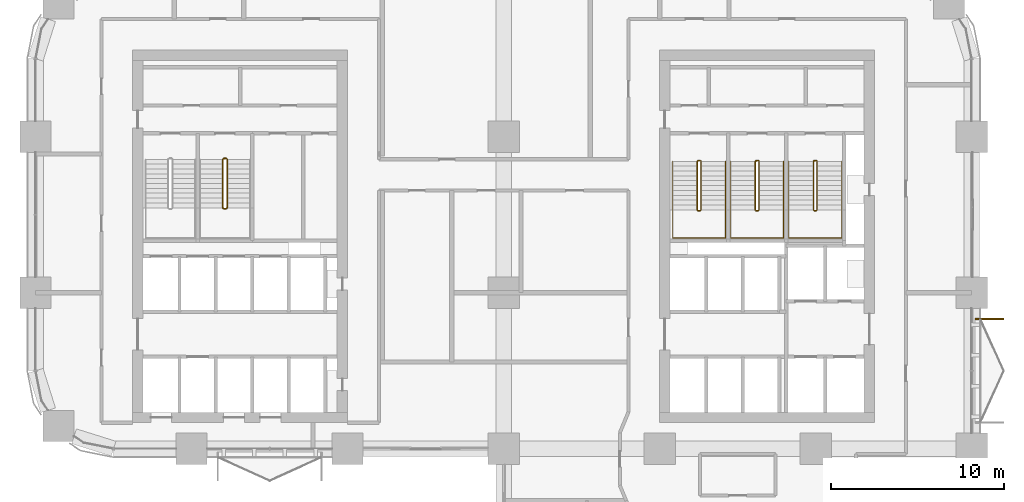
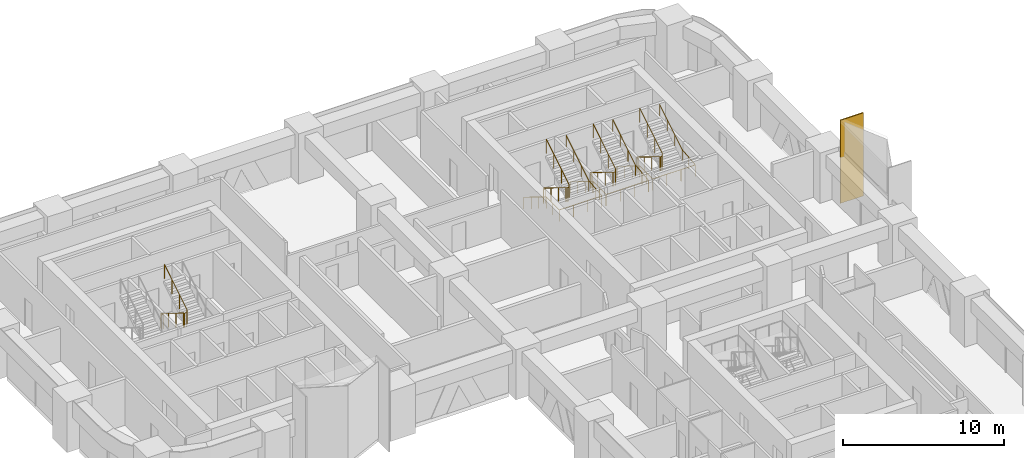
# One storey, part 24 of 24: 7 railings, 1 covering.
"""IFC4 building model written with IfcOpenShell, lengths in metres."""

from ifc_helpers import new_model, si_unit, direction, frame, origin, origin_2d, place, context, subcontext, project, spatial, polyline, circle, outline, extrude, material, layer, layer_set, type_object, element, save


model = new_model("IFC4")

# Units and contexts
model_context = context("Model", 3, precision=1e-05, world=origin(), true_north=direction((0.0, 1.0)))
body_context = subcontext(model_context, "Body", "Model", "MODEL_VIEW")
ifc_project = project(units=[si_unit("LENGTHUNIT", "METRE"), si_unit("AREAUNIT", "SQUARE_METRE"), si_unit("VOLUMEUNIT", "CUBIC_METRE"), si_unit("PLANEANGLEUNIT", "RADIAN"), si_unit("MASSUNIT", "GRAM", prefix="KILO")], contexts=[model_context])

# Site, building, storey
site_placement = place(None, origin())
site = spatial("IfcSite", under=ifc_project, at=site_placement, CompositionType="ELEMENT")
building_placement = place(site_placement, origin())
building = spatial("IfcBuilding", under=site, at=building_placement, Name="Tessera Arch", CompositionType="ELEMENT")
storey_placement = place(building_placement, frame((0.0, 0.0, 81.60009765625)))
storey = spatial("IfcBuildingStorey", under=building, at=storey_placement, Name="L18", CompositionType="ELEMENT", Elevation=81.60009765625)

# Railings
ifc_material_1 = material(Name="Painted steel balustrade", Category="steel")
railing_type_1 = type_object("IfcRailingType", Name="Stair guard 1100", PredefinedType="GUARDRAIL", material=ifc_material_1)
railing_1_placement = place(storey_placement, frame((38.219970703125, 43.6298828125, 0.0)))
element("IfcRailing", 1, at=railing_1_placement, inside=storey, type_object=railing_type_1, Name="L18 S1a stair guard 1", PredefinedType="GUARDRAIL", context=body_context, shape_type="SweptSolid", body=[
    extrude(circle(Radius=0.02392578125, at=origin_2d()), frame((-0.00390625, 0.0, 1.076171875), z_axis=(1.0, 0.0, 0.0), x_axis=(0.0, 1.0, 0.0)), (0.0, 0.0, 1.0), 0.1181640625),
    extrude(circle(Radius=0.02392578125, at=origin_2d()), frame((0.11279296875, 0.000732421875, 1.0732421875), z_axis=(-0.665449600336, -0.206938595226, 0.717184249143), x_axis=(0.296948579431, -0.954893471113, 0.0)), (0.0, 0.0, 1.0), 0.248779296875),
    extrude(circle(Radius=0.02392578125, at=origin_2d()), frame((-0.050048828125, -0.04638671875, 1.24658203125), z_axis=(0.0, -0.851089632645, 0.525020415988), x_axis=(1.0, 0.0, 0.0)), (0.0, 0.0, 1.0), 3.2978515625),
    extrude(circle(Radius=0.02392578125, at=origin_2d()), frame((-0.052978515625, -2.846923828125, 2.97607421875), z_axis=(0.707106781187, -0.707106781187, 0.0), x_axis=(0.707106781187, 0.707106781187, 0.0)), (0.0, 0.0, 1.0), 0.078857421875),
    extrude(circle(Radius=0.02392578125, at=origin_2d()), frame((-0.00390625, -2.89990234375, 2.97607421875), z_axis=(1.0, 0.0, 0.0), x_axis=(0.0, 1.0, 0.0)), (0.0, 0.0, 1.0), 0.1181640625),
    extrude(circle(Radius=0.02392578125, at=origin_2d()), frame((0.109130859375, -2.90087890625, 2.97216796875), z_axis=(0.267062837333, 0.268371968888, 0.925556009775), x_axis=(-0.708833529934, 0.705375805398, 0.0)), (0.0, 0.0, 1.0), 0.194580078125),
    extrude(circle(Radius=0.02392578125, at=origin_2d()), frame((0.159912109375, -2.853271484375, 3.146484375), z_axis=(0.0, 0.851089632645, 0.525020415988), x_axis=(-1.0, 0.0, 0.0)), (0.0, 0.0, 1.0), 3.2978515625),
    extrude(circle(Radius=0.02099609375, at=origin_2d()), origin(), (0.0, 0.0, 1.0), 1.06396484375),
    extrude(circle(Radius=0.02099609375, at=origin_2d()), frame((0.110107421875, 0.0, 0.0)), (0.0, 0.0, 1.0), 1.06396484375),
    extrude(circle(Radius=0.02099609375, at=origin_2d()), frame((-0.050048828125, -0.0498046875, 0.172607421875)), (0.0, 0.0, 1.0), 1.06396484375),
    extrude(circle(Radius=0.02099609375, at=origin_2d()), frame((-0.050048828125, -0.983154296875, 0.748291015625)), (0.0, 0.0, 1.0), 1.06396484375),
    extrude(circle(Radius=0.02099609375, at=origin_2d()), frame((-0.050048828125, -1.91650390625, 1.32421875)), (0.0, 0.0, 1.0), 1.06396484375),
    extrude(circle(Radius=0.02099609375, at=origin_2d()), frame((-0.050048828125, -2.849853515625, 1.89990234375)), (0.0, 0.0, 1.0), 1.06396484375),
    extrude(circle(Radius=0.02099609375, at=origin_2d()), frame((0.0, -2.89990234375, 1.89990234375)), (0.0, 0.0, 1.0), 1.06396484375),
    extrude(circle(Radius=0.02099609375, at=origin_2d()), frame((0.110107421875, -2.89990234375, 1.89990234375)), (0.0, 0.0, 1.0), 1.06396484375),
    extrude(circle(Radius=0.02099609375, at=origin_2d()), frame((0.159912109375, -2.849853515625, 2.072509765625)), (0.0, 0.0, 1.0), 1.06396484375),
    extrude(circle(Radius=0.02099609375, at=origin_2d()), frame((0.159912109375, -1.91650390625, 2.648193359375)), (0.0, 0.0, 1.0), 1.06396484375),
    extrude(circle(Radius=0.02099609375, at=origin_2d()), frame((0.159912109375, -0.983154296875, 3.22412109375)), (0.0, 0.0, 1.0), 1.06396484375),
    extrude(circle(Radius=0.02099609375, at=origin_2d()), frame((0.159912109375, -0.0498046875, 3.7998046875)), (0.0, 0.0, 1.0), 1.06396484375),
])
railing_2_placement = place(storey_placement, frame((41.570068359375, 43.6298828125, 0.0)))
element("IfcRailing", 2, at=railing_2_placement, inside=storey, type_object=railing_type_1, Name="L18 S1b stair guard 1", PredefinedType="GUARDRAIL", context=body_context, shape_type="SweptSolid", body=[
    extrude(circle(Radius=0.02392578125, at=origin_2d()), frame((-0.00390625, 0.0, 1.076171875), z_axis=(1.0, 0.0, 0.0), x_axis=(0.0, 1.0, 0.0)), (0.0, 0.0, 1.0), 0.117919921875),
    extrude(circle(Radius=0.02392578125, at=origin_2d()), frame((0.112548828125, 0.000732421875, 1.0732421875), z_axis=(-0.664883824791, -0.207078321004, 0.717668494851), x_axis=(0.297361876254, -0.954764847777, 0.0)), (0.0, 0.0, 1.0), 0.24853515625),
    extrude(circle(Radius=0.02392578125, at=origin_2d()), frame((-0.050048828125, -0.04638671875, 1.24658203125), z_axis=(0.0, -0.851089632645, 0.525020415988), x_axis=(1.0, 0.0, 0.0)), (0.0, 0.0, 1.0), 3.2978515625),
    extrude(circle(Radius=0.02392578125, at=origin_2d()), frame((-0.052978515625, -2.846923828125, 2.97607421875), z_axis=(0.707106781187, -0.707106781187, 0.0), x_axis=(0.707106781187, 0.707106781187, 0.0)), (0.0, 0.0, 1.0), 0.078857421875),
    extrude(circle(Radius=0.02392578125, at=origin_2d()), frame((-0.00390625, -2.89990234375, 2.97607421875), z_axis=(1.0, 0.0, 0.0), x_axis=(0.0, 1.0, 0.0)), (0.0, 0.0, 1.0), 0.117919921875),
    extrude(circle(Radius=0.02392578125, at=origin_2d()), frame((0.10888671875, -2.90087890625, 2.97216796875), z_axis=(0.268277960024, 0.268277960024, 0.925231793839), x_axis=(-0.707106781187, 0.707106781187, 0.0)), (0.0, 0.0, 1.0), 0.194580078125),
    extrude(circle(Radius=0.02392578125, at=origin_2d()), frame((0.159912109375, -2.853271484375, 3.146484375), z_axis=(0.0, 0.851089632645, 0.525020415988), x_axis=(-1.0, 0.0, 0.0)), (0.0, 0.0, 1.0), 3.2978515625),
    extrude(circle(Radius=0.02099609375, at=origin_2d()), origin(), (0.0, 0.0, 1.0), 1.06396484375),
    extrude(circle(Radius=0.02099609375, at=origin_2d()), frame((0.10986328125, 0.0, 0.0)), (0.0, 0.0, 1.0), 1.06396484375),
    extrude(circle(Radius=0.02099609375, at=origin_2d()), frame((-0.050048828125, -0.0498046875, 0.172607421875)), (0.0, 0.0, 1.0), 1.06396484375),
    extrude(circle(Radius=0.02099609375, at=origin_2d()), frame((-0.050048828125, -0.983154296875, 0.748291015625)), (0.0, 0.0, 1.0), 1.06396484375),
    extrude(circle(Radius=0.02099609375, at=origin_2d()), frame((-0.050048828125, -1.91650390625, 1.32421875)), (0.0, 0.0, 1.0), 1.06396484375),
    extrude(circle(Radius=0.02099609375, at=origin_2d()), frame((-0.050048828125, -2.849853515625, 1.89990234375)), (0.0, 0.0, 1.0), 1.06396484375),
    extrude(circle(Radius=0.02099609375, at=origin_2d()), frame((0.0, -2.89990234375, 1.89990234375)), (0.0, 0.0, 1.0), 1.06396484375),
    extrude(circle(Radius=0.02099609375, at=origin_2d()), frame((0.10986328125, -2.89990234375, 1.89990234375)), (0.0, 0.0, 1.0), 1.06396484375),
    extrude(circle(Radius=0.02099609375, at=origin_2d()), frame((0.159912109375, -2.849853515625, 2.072509765625)), (0.0, 0.0, 1.0), 1.06396484375),
    extrude(circle(Radius=0.02099609375, at=origin_2d()), frame((0.159912109375, -1.91650390625, 2.648193359375)), (0.0, 0.0, 1.0), 1.06396484375),
    extrude(circle(Radius=0.02099609375, at=origin_2d()), frame((0.159912109375, -0.983154296875, 3.22412109375)), (0.0, 0.0, 1.0), 1.06396484375),
    extrude(circle(Radius=0.02099609375, at=origin_2d()), frame((0.159912109375, -0.0498046875, 3.7998046875)), (0.0, 0.0, 1.0), 1.06396484375),
])
railing_3_placement = place(storey_placement, frame((44.919921875, 43.6298828125, 0.0)))
element("IfcRailing", 3, at=railing_3_placement, inside=storey, type_object=railing_type_1, Name="L18 S1c stair guard 1", PredefinedType="GUARDRAIL", context=body_context, shape_type="SweptSolid", body=[
    extrude(circle(Radius=0.02392578125, at=origin_2d()), frame((-0.00390625, 0.0, 1.076171875), z_axis=(1.0, 0.0, 0.0), x_axis=(0.0, 1.0, 0.0)), (0.0, 0.0, 1.0), 0.1181640625),
    extrude(circle(Radius=0.02392578125, at=origin_2d()), frame((0.11279296875, 0.000732421875, 1.0732421875), z_axis=(-0.664883824791, -0.207078321004, 0.717668494851), x_axis=(0.297361876254, -0.954764847777, 0.0)), (0.0, 0.0, 1.0), 0.24853515625),
    extrude(circle(Radius=0.02392578125, at=origin_2d()), frame((-0.0498046875, -0.04638671875, 1.24658203125), z_axis=(0.0, -0.851089632645, 0.525020415988), x_axis=(1.0, 0.0, 0.0)), (0.0, 0.0, 1.0), 3.2978515625),
    extrude(circle(Radius=0.02392578125, at=origin_2d()), frame((-0.052734375, -2.846923828125, 2.97607421875), z_axis=(0.705375805398, -0.708833529934, 0.0), x_axis=(0.708833529934, 0.705375805398, 0.0)), (0.0, 0.0, 1.0), 0.07861328125),
    extrude(circle(Radius=0.02392578125, at=origin_2d()), frame((-0.00390625, -2.89990234375, 2.97607421875), z_axis=(1.0, 0.0, 0.0), x_axis=(0.0, 1.0, 0.0)), (0.0, 0.0, 1.0), 0.1181640625),
    extrude(circle(Radius=0.02392578125, at=origin_2d()), frame((0.109130859375, -2.90087890625, 2.97216796875), z_axis=(0.268277960024, 0.268277960024, 0.925231793839), x_axis=(-0.707106781187, 0.707106781187, 0.0)), (0.0, 0.0, 1.0), 0.194580078125),
    extrude(circle(Radius=0.02392578125, at=origin_2d()), frame((0.16015625, -2.853271484375, 3.146484375), z_axis=(0.0, 0.851089632645, 0.525020415988), x_axis=(-1.0, 0.0, 0.0)), (0.0, 0.0, 1.0), 3.2978515625),
    extrude(circle(Radius=0.02099609375, at=origin_2d()), origin(), (0.0, 0.0, 1.0), 1.06396484375),
    extrude(circle(Radius=0.02099609375, at=origin_2d()), frame((0.110107421875, 0.0, 0.0)), (0.0, 0.0, 1.0), 1.06396484375),
    extrude(circle(Radius=0.02099609375, at=origin_2d()), frame((-0.0498046875, -0.0498046875, 0.172607421875)), (0.0, 0.0, 1.0), 1.06396484375),
    extrude(circle(Radius=0.02099609375, at=origin_2d()), frame((-0.0498046875, -0.983154296875, 0.748291015625)), (0.0, 0.0, 1.0), 1.06396484375),
    extrude(circle(Radius=0.02099609375, at=origin_2d()), frame((-0.0498046875, -1.91650390625, 1.32421875)), (0.0, 0.0, 1.0), 1.06396484375),
    extrude(circle(Radius=0.02099609375, at=origin_2d()), frame((-0.0498046875, -2.849853515625, 1.89990234375)), (0.0, 0.0, 1.0), 1.06396484375),
    extrude(circle(Radius=0.02099609375, at=origin_2d()), frame((0.0, -2.89990234375, 1.89990234375)), (0.0, 0.0, 1.0), 1.06396484375),
    extrude(circle(Radius=0.02099609375, at=origin_2d()), frame((0.110107421875, -2.89990234375, 1.89990234375)), (0.0, 0.0, 1.0), 1.06396484375),
    extrude(circle(Radius=0.02099609375, at=origin_2d()), frame((0.16015625, -2.849853515625, 2.072509765625)), (0.0, 0.0, 1.0), 1.06396484375),
    extrude(circle(Radius=0.02099609375, at=origin_2d()), frame((0.16015625, -1.91650390625, 2.648193359375)), (0.0, 0.0, 1.0), 1.06396484375),
    extrude(circle(Radius=0.02099609375, at=origin_2d()), frame((0.16015625, -0.983154296875, 3.22412109375)), (0.0, 0.0, 1.0), 1.06396484375),
    extrude(circle(Radius=0.02099609375, at=origin_2d()), frame((0.16015625, -0.0498046875, 3.7998046875)), (0.0, 0.0, 1.0), 1.06396484375),
])
railing_4_placement = place(storey_placement, frame((10.85009765625, 43.75, 0.0)))
element("IfcRailing", 4, at=railing_4_placement, inside=storey, type_object=railing_type_1, Name="L18 S2b stair guard 1", PredefinedType="GUARDRAIL", context=body_context, shape_type="SweptSolid", body=[
    extrude(circle(Radius=0.02392578125, at=origin_2d()), frame((-0.00390625, 0.0, 1.076171875), z_axis=(1.0, 0.0, 0.0), x_axis=(0.0, 1.0, 0.0)), (0.0, 0.0, 1.0), 0.157958984375),
    extrude(circle(Radius=0.02392578125, at=origin_2d()), frame((0.15283203125, 0.000732421875, 1.073486328125), z_axis=(-0.743736083135, -0.18616104645, 0.642028584587), x_axis=(0.242814311512, -0.970072785993, 0.0)), (0.0, 0.0, 1.0), 0.27685546875),
    extrude(circle(Radius=0.02392578125, at=origin_2d()), frame((-0.050048828125, -0.046630859375, 1.24658203125), z_axis=(0.0, -0.851089632645, 0.525020415988), x_axis=(1.0, 0.0, 0.0)), (0.0, 0.0, 1.0), 3.2978515625),
    extrude(circle(Radius=0.02392578125, at=origin_2d()), frame((-0.052978515625, -2.84716796875, 2.97607421875), z_axis=(0.708833529934, -0.705375805398, 0.0), x_axis=(0.705375805398, 0.708833529934, 0.0)), (0.0, 0.0, 1.0), 0.07861328125),
    extrude(circle(Radius=0.02392578125, at=origin_2d()), frame((-0.00390625, -2.89990234375, 2.97607421875), z_axis=(1.0, 0.0, 0.0), x_axis=(0.0, 1.0, 0.0)), (0.0, 0.0, 1.0), 0.157958984375),
    extrude(circle(Radius=0.02392578125, at=origin_2d()), frame((0.14892578125, -2.90087890625, 2.97216796875), z_axis=(0.268371968888, 0.267062837333, 0.925556009775), x_axis=(-0.705375805398, 0.708833529934, 0.0)), (0.0, 0.0, 1.0), 0.194580078125),
    extrude(circle(Radius=0.02392578125, at=origin_2d()), frame((0.199951171875, -2.853515625, 3.146484375), z_axis=(0.0, 0.851089632645, 0.525020415988), x_axis=(-1.0, 0.0, 0.0)), (0.0, 0.0, 1.0), 3.2978515625),
    extrude(circle(Radius=0.02099609375, at=origin_2d()), origin(), (0.0, 0.0, 1.0), 1.06396484375),
    extrude(circle(Radius=0.02099609375, at=origin_2d()), frame((0.14990234375, 0.0, 0.0)), (0.0, 0.0, 1.0), 1.06396484375),
    extrude(circle(Radius=0.02099609375, at=origin_2d()), frame((-0.050048828125, -0.050048828125, 0.172607421875)), (0.0, 0.0, 1.0), 1.06396484375),
    extrude(circle(Radius=0.02099609375, at=origin_2d()), frame((-0.050048828125, -0.9833984375, 0.748291015625)), (0.0, 0.0, 1.0), 1.06396484375),
    extrude(circle(Radius=0.02099609375, at=origin_2d()), frame((-0.050048828125, -1.916748046875, 1.32421875)), (0.0, 0.0, 1.0), 1.06396484375),
    extrude(circle(Radius=0.02099609375, at=origin_2d()), frame((-0.050048828125, -2.85009765625, 1.89990234375)), (0.0, 0.0, 1.0), 1.06396484375),
    extrude(circle(Radius=0.02099609375, at=origin_2d()), frame((0.0, -2.89990234375, 1.89990234375)), (0.0, 0.0, 1.0), 1.06396484375),
    extrude(circle(Radius=0.02099609375, at=origin_2d()), frame((0.14990234375, -2.89990234375, 1.89990234375)), (0.0, 0.0, 1.0), 1.06396484375),
    extrude(circle(Radius=0.02099609375, at=origin_2d()), frame((0.199951171875, -2.85009765625, 2.072509765625)), (0.0, 0.0, 1.0), 1.06396484375),
    extrude(circle(Radius=0.02099609375, at=origin_2d()), frame((0.199951171875, -1.916748046875, 2.648193359375)), (0.0, 0.0, 1.0), 1.06396484375),
    extrude(circle(Radius=0.02099609375, at=origin_2d()), frame((0.199951171875, -0.9833984375, 3.22412109375)), (0.0, 0.0, 1.0), 1.06396484375),
    extrude(circle(Radius=0.02099609375, at=origin_2d()), frame((0.199951171875, -0.050048828125, 3.7998046875)), (0.0, 0.0, 1.0), 1.06396484375),
])
ifc_material_2 = material(Name="Painted steel handrail", Category="steel")
railing_type_2 = type_object("IfcRailingType", Name="Stair handrail 900", PredefinedType="HANDRAIL", material=ifc_material_2)
railing_5_placement = place(storey_placement, frame((36.75, 43.580078125, 0.172607421875)))
element("IfcRailing", 5, at=railing_5_placement, inside=storey, type_object=railing_type_2, Name="L18 S1a stair handrail", PredefinedType="HANDRAIL", context=body_context, shape_type="SweptSolid", body=[
    extrude(circle(Radius=0.02392578125, at=origin_2d()), frame((0.0, 0.00341796875, 0.873779296875), z_axis=(0.0, -0.851089632645, 0.525020415988), x_axis=(1.0, 0.0, 0.0)), (0.0, 0.0, 1.0), 3.2978515625),
    extrude(circle(Radius=0.02392578125, at=origin_2d()), frame((0.0, -2.796142578125, 2.60302734375), z_axis=(0.0, -1.0, 0.0), x_axis=(1.0, 0.0, 0.0)), (0.0, 0.0, 1.0), 1.63818359375),
    extrude(circle(Radius=0.02392578125, at=origin_2d()), frame((-0.00390625, -4.43017578125, 2.60302734375), z_axis=(1.0, 0.0, 0.0), x_axis=(0.0, 1.0, 0.0)), (0.0, 0.0, 1.0), 3.05810546875),
    extrude(circle(Radius=0.02392578125, at=origin_2d()), frame((3.050048828125, -4.43408203125, 2.602783203125), z_axis=(0.0, 0.994440793715, 0.105297235459), x_axis=(-1.0, 0.0, 0.0)), (0.0, 0.0, 1.0), 1.647216796875),
    extrude(circle(Radius=0.02392578125, at=origin_2d()), frame((3.050048828125, -2.803466796875, 2.773681640625), z_axis=(0.0, 0.851089632645, 0.525020415988), x_axis=(-1.0, 0.0, 0.0)), (0.0, 0.0, 1.0), 3.2978515625),
    extrude(circle(Radius=0.02099609375, at=origin_2d()), origin(), (0.0, 0.0, 1.0), 0.86376953125),
    extrude(circle(Radius=0.02099609375, at=origin_2d()), frame((0.0, -0.933349609375, 0.57568359375)), (0.0, 0.0, 1.0), 0.86376953125),
    extrude(circle(Radius=0.02099609375, at=origin_2d()), frame((0.0, -1.86669921875, 1.151611328125)), (0.0, 0.0, 1.0), 0.86376953125),
    extrude(circle(Radius=0.02099609375, at=origin_2d()), frame((0.0, -2.800048828125, 1.727294921875)), (0.0, 0.0, 1.0), 0.86376953125),
    extrude(circle(Radius=0.02099609375, at=origin_2d()), frame((0.0, -3.615234375, 1.727294921875)), (0.0, 0.0, 1.0), 0.86376953125),
    extrude(circle(Radius=0.02099609375, at=origin_2d()), frame((0.0, -4.43017578125, 1.727294921875)), (0.0, 0.0, 1.0), 0.86376953125),
    extrude(circle(Radius=0.02099609375, at=origin_2d()), frame((1.0166015625, -4.43017578125, 1.727294921875)), (0.0, 0.0, 1.0), 0.86376953125),
    extrude(circle(Radius=0.02099609375, at=origin_2d()), frame((2.033447265625, -4.43017578125, 1.727294921875)), (0.0, 0.0, 1.0), 0.86376953125),
    extrude(circle(Radius=0.02099609375, at=origin_2d()), frame((3.050048828125, -4.43017578125, 1.727294921875)), (0.0, 0.0, 1.0), 0.86376953125),
    extrude(circle(Radius=0.02099609375, at=origin_2d()), frame((3.050048828125, -3.615234375, 1.8134765625)), (0.0, 0.0, 1.0), 0.86376953125),
    extrude(circle(Radius=0.02099609375, at=origin_2d()), frame((3.050048828125, -2.800048828125, 1.89990234375)), (0.0, 0.0, 1.0), 0.86376953125),
    extrude(circle(Radius=0.02099609375, at=origin_2d()), frame((3.050048828125, -1.86669921875, 2.4755859375)), (0.0, 0.0, 1.0), 0.86376953125),
    extrude(circle(Radius=0.02099609375, at=origin_2d()), frame((3.050048828125, -0.933349609375, 3.051513671875)), (0.0, 0.0, 1.0), 0.86376953125),
    extrude(circle(Radius=0.02099609375, at=origin_2d()), frame((3.050048828125, 0.0, 3.627197265625)), (0.0, 0.0, 1.0), 0.86376953125),
])
railing_6_placement = place(storey_placement, frame((40.10009765625, 43.580078125, 0.172607421875)))
element("IfcRailing", 6, at=railing_6_placement, inside=storey, type_object=railing_type_2, Name="L18 S1b stair handrail", PredefinedType="HANDRAIL", context=body_context, shape_type="SweptSolid", body=[
    extrude(circle(Radius=0.02392578125, at=origin_2d()), frame((0.0, 0.00341796875, 0.873779296875), z_axis=(0.0, -0.851089632645, 0.525020415988), x_axis=(1.0, 0.0, 0.0)), (0.0, 0.0, 1.0), 3.2978515625),
    extrude(circle(Radius=0.02392578125, at=origin_2d()), frame((0.0, -2.796142578125, 2.60302734375), z_axis=(0.0, -1.0, 0.0), x_axis=(1.0, 0.0, 0.0)), (0.0, 0.0, 1.0), 1.63818359375),
    extrude(circle(Radius=0.02392578125, at=origin_2d()), frame((-0.00390625, -4.43017578125, 2.60302734375), z_axis=(1.0, 0.0, 0.0), x_axis=(0.0, 1.0, 0.0)), (0.0, 0.0, 1.0), 3.057861328125),
    extrude(circle(Radius=0.02392578125, at=origin_2d()), frame((3.0498046875, -4.43408203125, 2.602783203125), z_axis=(0.0, 0.994440793715, 0.105297235459), x_axis=(-1.0, 0.0, 0.0)), (0.0, 0.0, 1.0), 1.647216796875),
    extrude(circle(Radius=0.02392578125, at=origin_2d()), frame((3.0498046875, -2.803466796875, 2.773681640625), z_axis=(0.0, 0.851089632645, 0.525020415988), x_axis=(-1.0, 0.0, 0.0)), (0.0, 0.0, 1.0), 3.2978515625),
    extrude(circle(Radius=0.02099609375, at=origin_2d()), origin(), (0.0, 0.0, 1.0), 0.86376953125),
    extrude(circle(Radius=0.02099609375, at=origin_2d()), frame((0.0, -0.933349609375, 0.57568359375)), (0.0, 0.0, 1.0), 0.86376953125),
    extrude(circle(Radius=0.02099609375, at=origin_2d()), frame((0.0, -1.86669921875, 1.151611328125)), (0.0, 0.0, 1.0), 0.86376953125),
    extrude(circle(Radius=0.02099609375, at=origin_2d()), frame((0.0, -2.800048828125, 1.727294921875)), (0.0, 0.0, 1.0), 0.86376953125),
    extrude(circle(Radius=0.02099609375, at=origin_2d()), frame((0.0, -3.615234375, 1.727294921875)), (0.0, 0.0, 1.0), 0.86376953125),
    extrude(circle(Radius=0.02099609375, at=origin_2d()), frame((0.0, -4.43017578125, 1.727294921875)), (0.0, 0.0, 1.0), 0.86376953125),
    extrude(circle(Radius=0.02099609375, at=origin_2d()), frame((1.0166015625, -4.43017578125, 1.727294921875)), (0.0, 0.0, 1.0), 0.86376953125),
    extrude(circle(Radius=0.02099609375, at=origin_2d()), frame((2.033203125, -4.43017578125, 1.727294921875)), (0.0, 0.0, 1.0), 0.86376953125),
    extrude(circle(Radius=0.02099609375, at=origin_2d()), frame((3.0498046875, -4.43017578125, 1.727294921875)), (0.0, 0.0, 1.0), 0.86376953125),
    extrude(circle(Radius=0.02099609375, at=origin_2d()), frame((3.0498046875, -3.615234375, 1.8134765625)), (0.0, 0.0, 1.0), 0.86376953125),
    extrude(circle(Radius=0.02099609375, at=origin_2d()), frame((3.0498046875, -2.800048828125, 1.89990234375)), (0.0, 0.0, 1.0), 0.86376953125),
    extrude(circle(Radius=0.02099609375, at=origin_2d()), frame((3.0498046875, -1.86669921875, 2.4755859375)), (0.0, 0.0, 1.0), 0.86376953125),
    extrude(circle(Radius=0.02099609375, at=origin_2d()), frame((3.0498046875, -0.933349609375, 3.051513671875)), (0.0, 0.0, 1.0), 0.86376953125),
    extrude(circle(Radius=0.02099609375, at=origin_2d()), frame((3.0498046875, 0.0, 3.627197265625)), (0.0, 0.0, 1.0), 0.86376953125),
])
railing_7_placement = place(storey_placement, frame((43.449951171875, 43.580078125, 0.172607421875)))
element("IfcRailing", 7, at=railing_7_placement, inside=storey, type_object=railing_type_2, Name="L18 S1c stair handrail", PredefinedType="HANDRAIL", context=body_context, shape_type="SweptSolid", body=[
    extrude(circle(Radius=0.02392578125, at=origin_2d()), frame((0.0, 0.00341796875, 0.873779296875), z_axis=(0.0, -0.851089632645, 0.525020415988), x_axis=(1.0, 0.0, 0.0)), (0.0, 0.0, 1.0), 3.2978515625),
    extrude(circle(Radius=0.02392578125, at=origin_2d()), frame((0.0, -2.796142578125, 2.60302734375), z_axis=(0.0, -1.0, 0.0), x_axis=(1.0, 0.0, 0.0)), (0.0, 0.0, 1.0), 1.63818359375),
    extrude(circle(Radius=0.02392578125, at=origin_2d()), frame((-0.00390625, -4.43017578125, 2.60302734375), z_axis=(1.0, 0.0, 0.0), x_axis=(0.0, 1.0, 0.0)), (0.0, 0.0, 1.0), 3.05810546875),
    extrude(circle(Radius=0.02392578125, at=origin_2d()), frame((3.050048828125, -4.43408203125, 2.602783203125), z_axis=(0.0, 0.994440793715, 0.105297235459), x_axis=(-1.0, 0.0, 0.0)), (0.0, 0.0, 1.0), 1.647216796875),
    extrude(circle(Radius=0.02392578125, at=origin_2d()), frame((3.050048828125, -2.803466796875, 2.773681640625), z_axis=(0.0, 0.851089632645, 0.525020415988), x_axis=(-1.0, 0.0, 0.0)), (0.0, 0.0, 1.0), 3.2978515625),
    extrude(circle(Radius=0.02099609375, at=origin_2d()), origin(), (0.0, 0.0, 1.0), 0.86376953125),
    extrude(circle(Radius=0.02099609375, at=origin_2d()), frame((0.0, -0.933349609375, 0.57568359375)), (0.0, 0.0, 1.0), 0.86376953125),
    extrude(circle(Radius=0.02099609375, at=origin_2d()), frame((0.0, -1.86669921875, 1.151611328125)), (0.0, 0.0, 1.0), 0.86376953125),
    extrude(circle(Radius=0.02099609375, at=origin_2d()), frame((0.0, -2.800048828125, 1.727294921875)), (0.0, 0.0, 1.0), 0.86376953125),
    extrude(circle(Radius=0.02099609375, at=origin_2d()), frame((0.0, -3.615234375, 1.727294921875)), (0.0, 0.0, 1.0), 0.86376953125),
    extrude(circle(Radius=0.02099609375, at=origin_2d()), frame((0.0, -4.43017578125, 1.727294921875)), (0.0, 0.0, 1.0), 0.86376953125),
    extrude(circle(Radius=0.02099609375, at=origin_2d()), frame((1.0166015625, -4.43017578125, 1.727294921875)), (0.0, 0.0, 1.0), 0.86376953125),
    extrude(circle(Radius=0.02099609375, at=origin_2d()), frame((2.033447265625, -4.43017578125, 1.727294921875)), (0.0, 0.0, 1.0), 0.86376953125),
    extrude(circle(Radius=0.02099609375, at=origin_2d()), frame((3.050048828125, -4.43017578125, 1.727294921875)), (0.0, 0.0, 1.0), 0.86376953125),
    extrude(circle(Radius=0.02099609375, at=origin_2d()), frame((3.050048828125, -3.615234375, 1.8134765625)), (0.0, 0.0, 1.0), 0.86376953125),
    extrude(circle(Radius=0.02099609375, at=origin_2d()), frame((3.050048828125, -2.800048828125, 1.89990234375)), (0.0, 0.0, 1.0), 0.86376953125),
    extrude(circle(Radius=0.02099609375, at=origin_2d()), frame((3.050048828125, -1.86669921875, 2.4755859375)), (0.0, 0.0, 1.0), 0.86376953125),
    extrude(circle(Radius=0.02099609375, at=origin_2d()), frame((3.050048828125, -0.933349609375, 3.051513671875)), (0.0, 0.0, 1.0), 0.86376953125),
    extrude(circle(Radius=0.02099609375, at=origin_2d()), frame((3.050048828125, 0.0, 3.627197265625)), (0.0, 0.0, 1.0), 0.86376953125),
])

# Covering
ifc_material_3 = material(Name="Anodised aluminium pale metal", Category="aluminium")
ifc_layer = layer(ifc_material_3, 0.080078125)
ifc_layer_set = layer_set([ifc_layer], Name="Window box cheek")
covering_type = type_object("IfcCoveringType", Name="Window box cheek", PredefinedType="CLADDING", material=ifc_layer_set)
covering_placement = place(storey_placement, origin())
element("IfcCovering", 8, at=covering_placement, inside=storey, type_object=covering_type, Name="Window box E54.0/3.0 2x2 cheek", PredefinedType="CLADDING", context=body_context, shape_type="SweptSolid", body=[
    extrude(outline(polyline([(55.85009765625, 34.449951171875), (55.85009765625, 34.530029296875), (54.199951171875, 34.530029296875), (54.199951171875, 34.449951171875), (55.85009765625, 34.449951171875)])), origin(), (0.0, 0.0, 1.0), 6.2998046875),
])

save(model, "model.ifc")
